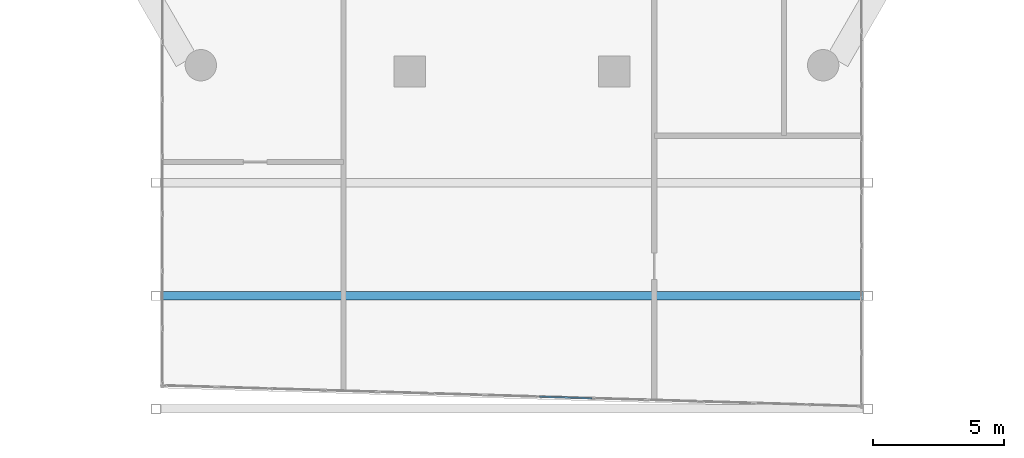
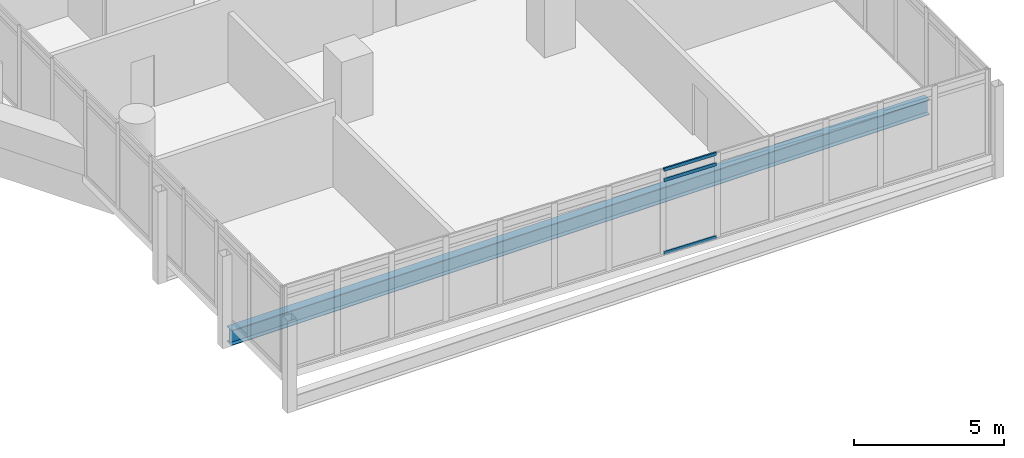
# One storey, part 6 of 36: 3 members, 1 beam, 1 element without a shape of its own.
"""IFC4 building model written with IfcOpenShell, lengths in metres."""

from ifc_helpers import new_model, si_unit, direction, frame, origin, origin_2d, place, context, subcontext, project, spatial, hollow_rectangle, i_section, extrude, material, material_profile, profile_set, type_object, element, aggregate, save


model = new_model("IFC4")

# Units and contexts
model_context = context("Model", 3, precision=1e-05, world=origin(), true_north=direction((0.0, 1.0)))
body_context = subcontext(model_context, "Body", "Model", "MODEL_VIEW")
ifc_project = project(units=[si_unit("LENGTHUNIT", "METRE"), si_unit("AREAUNIT", "SQUARE_METRE"), si_unit("VOLUMEUNIT", "CUBIC_METRE"), si_unit("PLANEANGLEUNIT", "RADIAN"), si_unit("MASSUNIT", "GRAM", prefix="KILO")], contexts=[model_context])

# Site, building, storey
site_placement = place(None, origin())
site = spatial("IfcSite", under=ifc_project, at=site_placement, CompositionType="ELEMENT")
building_placement = place(site_placement, origin())
building = spatial("IfcBuilding", under=site, at=building_placement, Name="Ostrander Bayou Hotel Tower", CompositionType="ELEMENT")
storey_placement = place(building_placement, frame((0.0, 0.0, 138.5)))
storey = spatial("IfcBuildingStorey", under=building, at=storey_placement, Name="L34", CompositionType="ELEMENT", Elevation=138.5)

# Curtain wall, members
ifc_material_1 = material(Name="Aluminium and clear glass", Category="aluminium")
curtain_wall_type = type_object("IfcCurtainWallType", Name="CW-BAR glazed wall", PredefinedType="NOTDEFINED", material=ifc_material_1)
curtain_wall_placement = place(storey_placement, origin())
curtain_wall = element("IfcCurtainWall", 1, at=curtain_wall_placement, inside=storey, type_object=curtain_wall_type, Name="CW-BAR L34:SB3S:T", PredefinedType="NOTDEFINED")
ifc_material_2 = material(Name="Aluminium", Category="aluminium")
ifc_material_profile_1 = material_profile(ifc_material_2, hollow_rectangle(XDim=0.06005859375, YDim=0.1298828125, WallThickness=0.00390625, at=origin_2d()))
ifc_profile_set_1 = profile_set([ifc_material_profile_1], Name="Aluminium")
member_type = type_object("IfcMemberType", Name="CW-BR transom 60 x 130 mm", PredefinedType="USERDEFINED", material=ifc_profile_set_1)
member_1_placement = place(storey_placement, frame((1.058349609375, -30.9814453125, 0.030029296875), z_axis=(0.999555090424, -0.029826518535, 0.0), x_axis=(0.029826518535, 0.999555090424, 0.0)))
member_1 = element("IfcMember", 2, at=member_1_placement, type_object=member_type, Name="CW-BAR transom 8.1", ObjectType="TRANSOM", PredefinedType="USERDEFINED", context=body_context, shape_type="SweptSolid", body=[
    extrude(hollow_rectangle(XDim=0.06005859375, YDim=0.1298828125, WallThickness=0.00390625, at=origin_2d()), origin(), (0.0, 0.0, 1.0), 1.997314453125),
])
member_2_placement = place(storey_placement, frame((1.058349609375, -30.9814453125, 3.0), z_axis=(0.999555090424, -0.029826518535, 0.0), x_axis=(0.029826518535, 0.999555090424, 0.0)))
member_2 = element("IfcMember", 3, at=member_2_placement, type_object=member_type, Name="CW-BAR transom 8.2", ObjectType="TRANSOM", PredefinedType="USERDEFINED", context=body_context, shape_type="SweptSolid", body=[
    extrude(hollow_rectangle(XDim=0.06005859375, YDim=0.1298828125, WallThickness=0.00390625, at=origin_2d()), origin(), (0.0, 0.0, 1.0), 1.997314453125),
])
member_3_placement = place(storey_placement, frame((1.058349609375, -30.9814453125, 3.419921875), z_axis=(0.999555090424, -0.029826518535, 0.0), x_axis=(0.029826518535, 0.999555090424, 0.0)))
member_3 = element("IfcMember", 4, at=member_3_placement, type_object=member_type, Name="CW-BAR transom 8.3", ObjectType="TRANSOM", PredefinedType="USERDEFINED", context=body_context, shape_type="SweptSolid", body=[
    extrude(hollow_rectangle(XDim=0.06005859375, YDim=0.1298828125, WallThickness=0.00390625, at=origin_2d()), origin(), (0.0, 0.0, 1.0), 1.997314453125),
])
aggregate(curtain_wall, [member_1, member_2, member_3])

# Beam
ifc_material_3 = material(Name="Steel ASTM A992", Category="steel")
ifc_material_profile_2 = material_profile(ifc_material_3, i_section(OverallWidth=0.32763671875, OverallDepth=0.621826171875, WebThickness=0.015380859375, FlangeThickness=0.0244140625, at=origin_2d()))
ifc_profile_set_2 = profile_set([ifc_material_profile_2], Name="Steel ASTM A992")
beam_type = type_object("IfcBeamType", Name="TF1 bar floor beam W24x131", PredefinedType="BEAM", material=ifc_profile_set_2)
beam_placement = place(storey_placement, frame((-13.442138671875, -27.122314453125, -0.61083984375), z_axis=(1.0, 0.0, 0.0), x_axis=(0.0, 1.0, 0.0)))
element("IfcBeam", 5, at=beam_placement, inside=storey, type_object=beam_type, Name="TF1 SB3S L3-2", PredefinedType="BEAM", context=body_context, shape_type="SweptSolid", body=[
    extrude(i_section(OverallWidth=0.32763671875, OverallDepth=0.621826171875, WebThickness=0.015380859375, FlangeThickness=0.0244140625, at=origin_2d()), origin(), (0.0, 0.0, 1.0), 26.88427734375),
])

save(model, "model.ifc")
